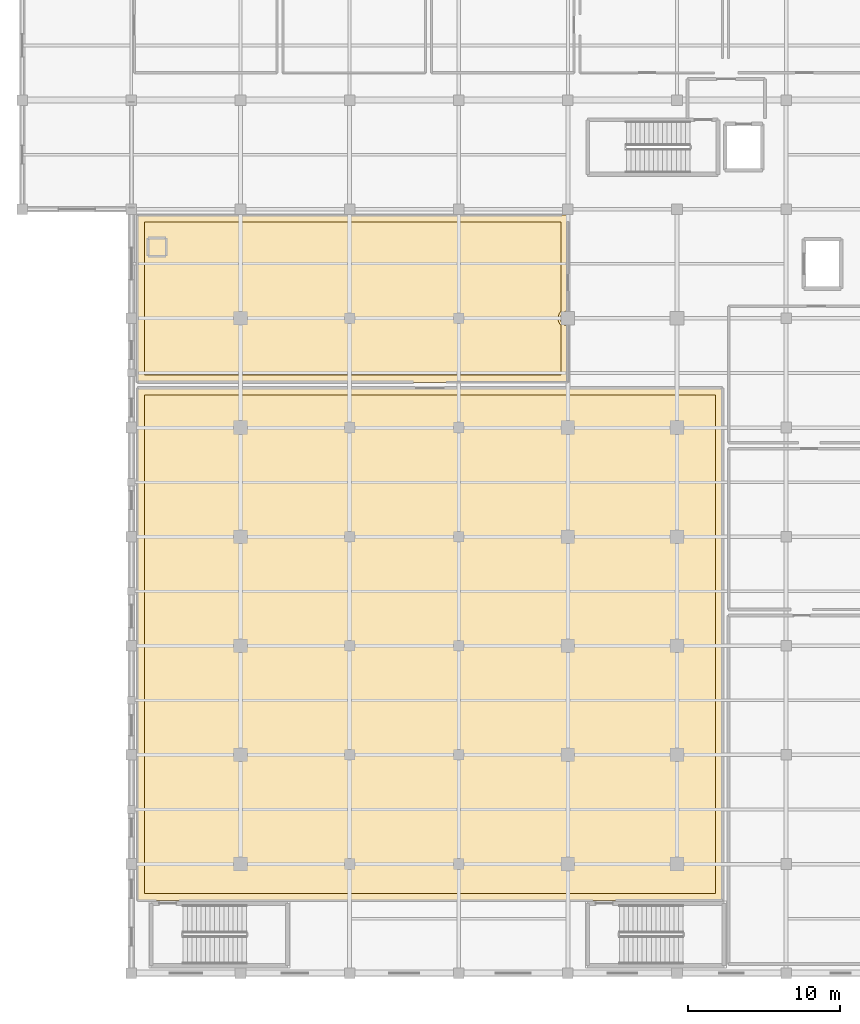
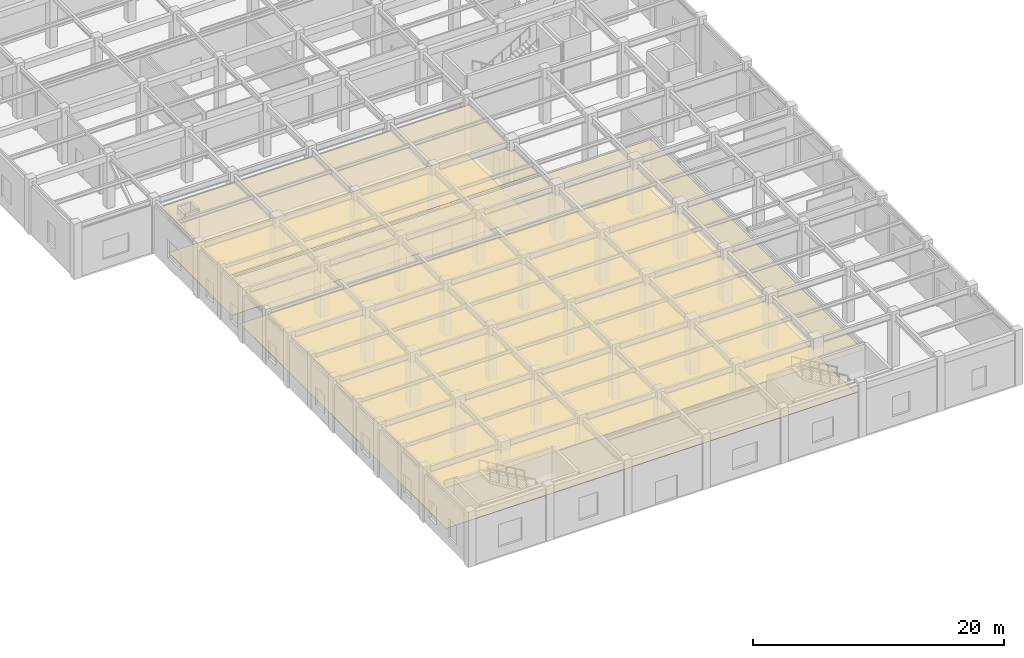
# One storey, part 100 of 102: 4 coverings.
"""IFC4 building model written with IfcOpenShell, lengths in metres."""

from ifc_helpers import new_model, si_unit, direction, frame, origin, place, context, subcontext, project, spatial, polyline, outline, extrude, material, layer, layer_set, type_object, element, save


model = new_model("IFC4")

# Units and contexts
model_context = context("Model", 3, precision=1e-05, world=origin(), true_north=direction((0.0, 1.0)))
body_context = subcontext(model_context, "Body", "Model", "MODEL_VIEW")
ifc_project = project(units=[si_unit("LENGTHUNIT", "METRE"), si_unit("AREAUNIT", "SQUARE_METRE"), si_unit("VOLUMEUNIT", "CUBIC_METRE"), si_unit("PLANEANGLEUNIT", "RADIAN"), si_unit("MASSUNIT", "GRAM", prefix="KILO")], contexts=[model_context])

# Site, building, storey
site_placement = place(None, origin())
site = spatial("IfcSite", under=ifc_project, at=site_placement, CompositionType="ELEMENT")
building_placement = place(site_placement, origin())
building = spatial("IfcBuilding", under=site, at=building_placement, Name="Carrowvane Square Congress Hotel", CompositionType="ELEMENT")
storey_placement = place(building_placement, origin())
storey = spatial("IfcBuildingStorey", under=building, at=storey_placement, Name="L00", CompositionType="ELEMENT", Elevation=0.0)

# Coverings
ifc_material_1 = material(Name="Acoustic gypsum board", Category="gypsum")
ifc_layer_1 = layer(ifc_material_1, 0.014892578125)
ifc_layer_set_1 = layer_set([ifc_layer_1], Name="Acoustic gypsum board")
covering_type_1 = type_object("IfcCoveringType", Name="COV-CLG-AC15", PredefinedType="CEILING", material=ifc_layer_set_1)
covering_1_placement = place(storey_placement, frame((0.0, 0.0, 4.33251953125)))
element("IfcCovering", 1, at=covering_1_placement, inside=storey, type_object=covering_type_1, Name="L00 Exhibition Concourse and Trade Hall acoustic ceiling", PredefinedType="CEILING", context=body_context, shape_type="SweptSolid", body=[
    extrude(outline(polyline([(173.01953125, 10.196044921875), (173.01904296875, 10.194091796875), (173.0185546875, 10.1923828125), (173.017578125, 10.190673828125), (173.0166015625, 10.18896484375), (173.015380859375, 10.187255859375), (173.01416015625, 10.185791015625), (173.0126953125, 10.1845703125), (173.010986328125, 10.183349609375), (173.009521484375, 10.182373046875), (173.0078125, 10.181396484375), (173.005859375, 10.180908203125), (173.00390625, 10.180419921875), (173.001953125, 10.18017578125), (173.0, 10.179931640625), (134.39990234375, 10.179931640625), (134.39794921875, 10.18017578125), (134.39599609375, 10.180419921875), (134.394287109375, 10.180908203125), (134.392333984375, 10.181396484375), (134.390625, 10.182373046875), (134.388916015625, 10.183349609375), (134.38720703125, 10.1845703125), (134.385986328125, 10.185791015625), (134.384521484375, 10.187255859375), (134.38330078125, 10.18896484375), (134.38232421875, 10.190673828125), (134.381591796875, 10.1923828125), (134.380859375, 10.194091796875), (134.38037109375, 10.196044921875), (134.380126953125, 10.197998046875), (134.3798828125, 10.199951171875), (134.3798828125, 12.47607421875), (134.3828125, 12.48388671875), (134.392333984375, 12.52197265625), (134.398193359375, 12.560791015625), (134.39990234375, 12.60009765625), (134.398193359375, 12.63916015625), (134.392333984375, 12.677978515625), (134.3828125, 12.716064453125), (134.3798828125, 12.723876953125), (134.3798828125, 19.676025390625), (134.3828125, 19.683837890625), (134.392333984375, 19.721923828125), (134.398193359375, 19.7607421875), (134.39990234375, 19.800048828125), (134.398193359375, 19.839111328125), (134.392333984375, 19.8779296875), (134.3828125, 19.916015625), (134.3798828125, 19.923828125), (134.3798828125, 26.876220703125), (134.3828125, 26.8837890625), (134.392333984375, 26.922119140625), (134.398193359375, 26.960693359375), (134.39990234375, 27.0), (134.398193359375, 27.039306640625), (134.392333984375, 27.077880859375), (134.3828125, 27.1162109375), (134.3798828125, 27.123779296875), (134.3798828125, 34.076171875), (134.3828125, 34.083984375), (134.392333984375, 34.1220703125), (134.398193359375, 34.160888671875), (134.39990234375, 34.199951171875), (134.398193359375, 34.2392578125), (134.392333984375, 34.278076171875), (134.3828125, 34.316162109375), (134.3798828125, 34.323974609375), (134.3798828125, 41.276123046875), (134.3828125, 41.283935546875), (134.392333984375, 41.322021484375), (134.398193359375, 41.36083984375), (134.39990234375, 41.39990234375), (134.398193359375, 41.439208984375), (134.392333984375, 41.47802734375), (134.3828125, 41.51611328125), (134.3798828125, 41.52392578125), (134.3798828125, 44.0), (134.380126953125, 44.001953125), (134.38037109375, 44.00390625), (134.380859375, 44.005859375), (134.381591796875, 44.0078125), (134.38232421875, 44.009521484375), (134.38330078125, 44.010986328125), (134.384521484375, 44.0126953125), (134.385986328125, 44.01416015625), (134.38720703125, 44.015380859375), (134.388916015625, 44.0166015625), (134.390625, 44.017578125), (134.392333984375, 44.0185546875), (134.394287109375, 44.01904296875), (134.39599609375, 44.01953125), (134.39794921875, 44.02001953125), (134.39990234375, 44.02001953125), (173.0, 44.02001953125), (173.001953125, 44.02001953125), (173.00390625, 44.01953125), (173.005859375, 44.01904296875), (173.0078125, 44.0185546875), (173.009521484375, 44.017578125), (173.010986328125, 44.0166015625), (173.0126953125, 44.015380859375), (173.01416015625, 44.01416015625), (173.015380859375, 44.0126953125), (173.0166015625, 44.010986328125), (173.017578125, 44.009521484375), (173.0185546875, 44.0078125), (173.01904296875, 44.005859375), (173.01953125, 44.00390625), (173.02001953125, 44.001953125), (173.02001953125, 44.0), (173.02001953125, 10.199951171875), (173.02001953125, 10.197998046875), (173.01953125, 10.196044921875)])), origin(), (0.0, 0.0, 1.0), 0.014892578125),
])
ifc_material_2 = material(Name="Acoustic gypsum board", Category="gypsum")
ifc_layer_2 = layer(ifc_material_2, 0.02001953125)
ifc_layer_set_2 = layer_set([ifc_layer_2], Name="Acoustic gypsum board")
covering_type_2 = type_object("IfcCoveringType", Name="COV-CLG-AC20", PredefinedType="CEILING", material=ifc_layer_set_2)
covering_2_placement = place(storey_placement, frame((0.0, 0.0, 4.327392578125)))
element("IfcCovering", 2, at=covering_2_placement, inside=storey, type_object=covering_type_2, Name="L00 Central Banqueting Production Kitchen acoustic ceiling", PredefinedType="CEILING", context=body_context, shape_type="SweptSolid", body=[
    extrude(outline(polyline([(162.338134765625, 48.40869140625), (162.35888671875, 48.3642578125), (162.38427734375, 48.322265625), (162.41357421875, 48.28271484375), (162.4462890625, 48.246337890625), (162.48291015625, 48.21337890625), (162.522216796875, 48.184326171875), (162.564208984375, 48.158935546875), (162.608642578125, 48.13818359375), (162.65478515625, 48.12158203125), (162.702392578125, 48.109619140625), (162.7509765625, 48.102294921875), (162.800048828125, 48.10009765625), (162.820068359375, 48.10107421875), (162.820068359375, 44.39990234375), (162.81982421875, 44.39794921875), (162.819580078125, 44.39599609375), (162.819091796875, 44.394287109375), (162.818603515625, 44.392333984375), (162.817626953125, 44.390625), (162.816650390625, 44.388916015625), (162.8154296875, 44.38720703125), (162.814208984375, 44.385986328125), (162.812744140625, 44.384521484375), (162.81103515625, 44.38330078125), (162.809326171875, 44.38232421875), (162.8076171875, 44.381591796875), (162.805908203125, 44.380859375), (162.803955078125, 44.38037109375), (162.802001953125, 44.380126953125), (162.800048828125, 44.3798828125), (134.39990234375, 44.3798828125), (134.39794921875, 44.380126953125), (134.39599609375, 44.38037109375), (134.394287109375, 44.380859375), (134.392333984375, 44.381591796875), (134.390625, 44.38232421875), (134.388916015625, 44.38330078125), (134.38720703125, 44.384521484375), (134.385986328125, 44.385986328125), (134.384521484375, 44.38720703125), (134.38330078125, 44.388916015625), (134.38232421875, 44.390625), (134.381591796875, 44.392333984375), (134.380859375, 44.394287109375), (134.38037109375, 44.39599609375), (134.380126953125, 44.39794921875), (134.3798828125, 44.39990234375), (134.3798828125, 48.47607421875), (134.3828125, 48.48388671875), (134.392333984375, 48.52197265625), (134.398193359375, 48.560791015625), (134.39990234375, 48.60009765625), (134.398193359375, 48.63916015625), (134.392333984375, 48.677978515625), (134.3828125, 48.716064453125), (134.3798828125, 48.723876953125), (134.3798828125, 55.39990234375), (134.380126953125, 55.402099609375), (134.38037109375, 55.40380859375), (134.380859375, 55.40576171875), (134.381591796875, 55.40771484375), (134.38232421875, 55.409423828125), (134.38330078125, 55.4111328125), (134.384521484375, 55.41259765625), (134.385986328125, 55.4140625), (134.38720703125, 55.41552734375), (134.388916015625, 55.41650390625), (134.390625, 55.41748046875), (134.392333984375, 55.41845703125), (134.394287109375, 55.419189453125), (134.39599609375, 55.419677734375), (134.39794921875, 55.419921875), (134.39990234375, 55.419921875), (141.076171875, 55.419921875), (141.083984375, 55.417236328125), (141.1220703125, 55.40771484375), (141.160888671875, 55.40185546875), (141.199951171875, 55.39990234375), (141.2392578125, 55.40185546875), (141.278076171875, 55.40771484375), (141.316162109375, 55.417236328125), (141.323974609375, 55.419921875), (148.276123046875, 55.419921875), (148.283935546875, 55.417236328125), (148.322021484375, 55.40771484375), (148.36083984375, 55.40185546875), (148.39990234375, 55.39990234375), (148.439208984375, 55.40185546875), (148.47802734375, 55.40771484375), (148.51611328125, 55.417236328125), (148.52392578125, 55.419921875), (155.47607421875, 55.419921875), (155.48388671875, 55.417236328125), (155.52197265625, 55.40771484375), (155.560791015625, 55.40185546875), (155.60009765625, 55.39990234375), (155.63916015625, 55.40185546875), (155.677978515625, 55.40771484375), (155.716064453125, 55.417236328125), (155.723876953125, 55.419921875), (162.676025390625, 55.419921875), (162.683837890625, 55.417236328125), (162.721923828125, 55.40771484375), (162.7607421875, 55.40185546875), (162.800048828125, 55.39990234375), (162.820068359375, 55.40087890625), (162.820068359375, 55.39990234375), (162.820068359375, 49.09912109375), (162.800048828125, 49.10009765625), (162.7509765625, 49.09765625), (162.702392578125, 49.09033203125), (162.65478515625, 49.07861328125), (162.608642578125, 49.06201171875), (162.564208984375, 49.041015625), (162.522216796875, 49.015625), (162.48291015625, 48.986572265625), (162.4462890625, 48.95361328125), (162.41357421875, 48.917236328125), (162.38427734375, 48.877685546875), (162.35888671875, 48.835693359375), (162.338134765625, 48.791259765625), (162.321533203125, 48.7451171875), (162.3095703125, 48.697509765625), (162.302490234375, 48.64892578125), (162.300048828125, 48.60009765625), (162.302490234375, 48.551025390625), (162.3095703125, 48.50244140625), (162.321533203125, 48.454833984375), (162.338134765625, 48.40869140625)])), origin(), (0.0, 0.0, 1.0), 0.02001953125),
])
ifc_material_3 = material(Name="European oak timber", Category="wood")
ifc_layer_3 = layer(ifc_material_3, 0.01806640625)
ifc_layer_set_3 = layer_set([ifc_layer_3], Name="European oak timber")
covering_type_3 = type_object("IfcCoveringType", Name="COV-FLR-OAK18", PredefinedType="FLOORING", material=ifc_layer_set_3)
covering_3_placement = place(storey_placement, origin())
element("IfcCovering", 3, at=covering_3_placement, inside=storey, type_object=covering_type_3, Name="L00 Exhibition Concourse and Trade Hall floor finish", PredefinedType="FLOORING", context=body_context, shape_type="SweptSolid", body=[
    extrude(outline(polyline([(172.550048828125, 43.550048828125), (172.550048828125, 10.64990234375), (134.85009765625, 10.64990234375), (134.85009765625, 43.550048828125), (172.550048828125, 43.550048828125)])), origin(), (0.0, 0.0, 1.0), 0.01806640625),
])
ifc_material_4 = material(Name="Ceramic porcelain tile", Category="stone")
ifc_layer_4 = layer(ifc_material_4, 0.02197265625)
ifc_layer_set_4 = layer_set([ifc_layer_4], Name="Ceramic porcelain tile")
covering_type_4 = type_object("IfcCoveringType", Name="COV-FLR-TRZ22", PredefinedType="FLOORING", material=ifc_layer_set_4)
covering_4_placement = place(storey_placement, origin())
element("IfcCovering", 4, at=covering_4_placement, inside=storey, type_object=covering_type_4, Name="L00 Central Banqueting Production Kitchen floor finish", PredefinedType="FLOORING", context=body_context, shape_type="SweptSolid", body=[
    extrude(outline(polyline([(162.14990234375, 48.60009765625), (162.153076171875, 48.536376953125), (162.16259765625, 48.47314453125), (162.177978515625, 48.411376953125), (162.199462890625, 48.351318359375), (162.226806640625, 48.293701171875), (162.259521484375, 48.239013671875), (162.297607421875, 48.1875), (162.34033203125, 48.140380859375), (162.35009765625, 48.131591796875), (162.35009765625, 44.85009765625), (134.85009765625, 44.85009765625), (134.85009765625, 54.949951171875), (162.35009765625, 54.949951171875), (162.35009765625, 49.068359375), (162.34033203125, 49.0595703125), (162.297607421875, 49.012451171875), (162.259521484375, 48.961181640625), (162.226806640625, 48.906494140625), (162.199462890625, 48.8486328125), (162.177978515625, 48.788818359375), (162.16259765625, 48.726806640625), (162.153076171875, 48.663818359375), (162.14990234375, 48.60009765625)])), origin(), (0.0, 0.0, 1.0), 0.02197265625),
])

save(model, "model.ifc")
